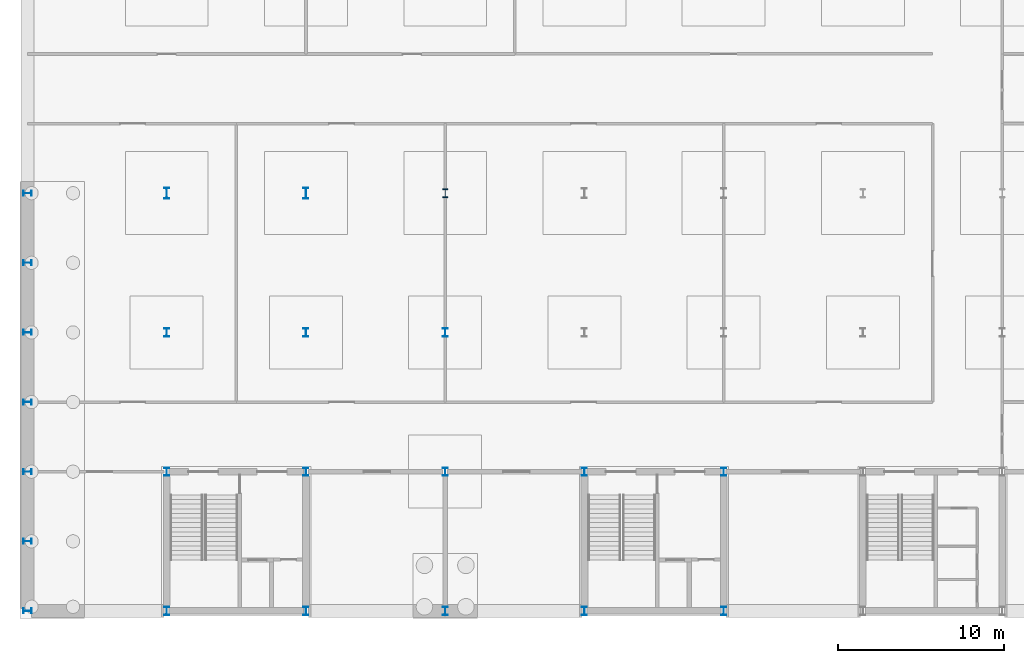
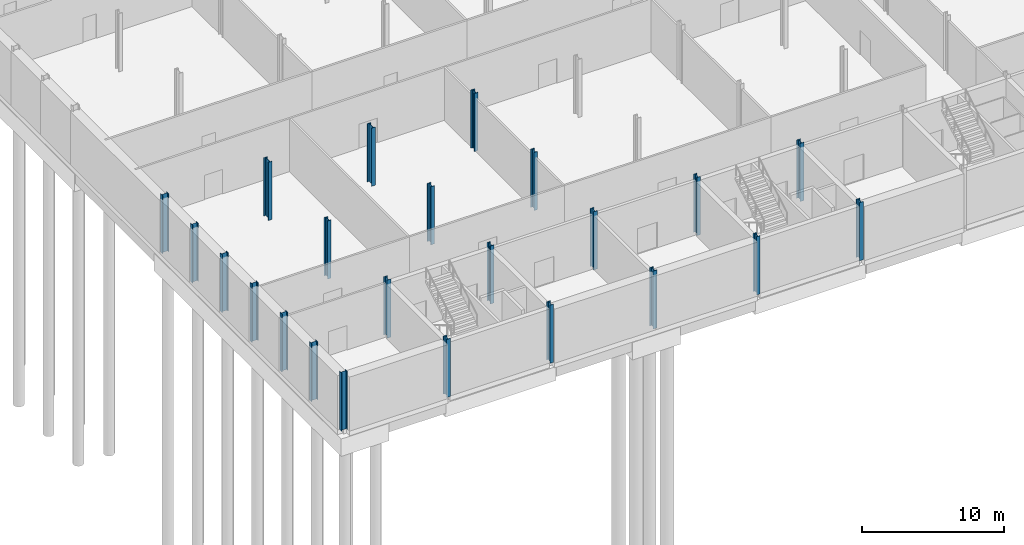
# One storey, part 3 of 22: 23 columns.
"""IFC4 building model written with IfcOpenShell, lengths in metres."""

from ifc_helpers import new_model, si_unit, direction, frame, origin, origin_2d, place, context, subcontext, project, spatial, i_section, extrude, material, material_profile, profile_set, type_object, element, save


model = new_model("IFC4")

# Units and contexts
model_context = context("Model", 3, precision=1e-05, world=origin(), true_north=direction((0.0, 1.0)))
body_context = subcontext(model_context, "Body", "Model", "MODEL_VIEW")
ifc_project = project(units=[si_unit("LENGTHUNIT", "METRE"), si_unit("AREAUNIT", "SQUARE_METRE"), si_unit("VOLUMEUNIT", "CUBIC_METRE"), si_unit("PLANEANGLEUNIT", "RADIAN"), si_unit("MASSUNIT", "GRAM", prefix="KILO")], contexts=[model_context])

# Site, building, storey
site_placement = place(None, origin())
site = spatial("IfcSite", under=ifc_project, at=site_placement, CompositionType="ELEMENT")
building_placement = place(site_placement, origin())
building = spatial("IfcBuilding", under=site, at=building_placement, Name="Galleria Vessillo Department Store", CompositionType="ELEMENT")
storey_placement = place(building_placement, frame((0.0, 0.0, -9.89990234375)))
storey = spatial("IfcBuildingStorey", under=building, at=storey_placement, Name="B2", CompositionType="ELEMENT", Elevation=-9.89990234375)

# Columns
ifc_material_1 = material(Name="Steel S355 J2", Category="steel")
ifc_material_profile_1 = material_profile(ifc_material_1, i_section(OverallWidth=0.300048828125, OverallDepth=0.5, WebThickness=0.014404296875, FlangeThickness=0.028076171875, FilletRadius=0.027099609375, at=origin_2d()), Name="HEB 500")
ifc_profile_set_1 = profile_set([ifc_material_profile_1], Name="Steel S355 J2")
column_type_1 = type_object("IfcColumnType", Name="Steel column HEB 500 CP1", PredefinedType="COLUMN", material=ifc_profile_set_1)
for number, where, z_axis, x_axis, name in (
    (1, (0.0, 0.0, 0.0), (0.0, 0.0, 1.0), (0.0, 1.0, 0.0), "S-COL-B2-1-A"),
    (2, (0.0, 4.199951171875, 0.0), (0.0, 0.0, 1.0), (0.0, 1.0, 0.0), "S-COL-B2-1-4.2"),
    (3, (0.0, 8.39990234375, 0.0), (0.0, 0.0, 1.0), (0.0, 1.0, 0.0), "S-COL-B2-1-B"),
    (4, (0.0, 12.60009765625, 0.0), (0.0, 0.0, 1.0), (0.0, 1.0, 0.0), "S-COL-B2-1-12.6"),
    (5, (0.0, 16.800048828125, 0.0), (0.0, 0.0, 1.0), (0.0, 1.0, 0.0), "S-COL-B2-1-C"),
    (6, (0.0, 21.0, 0.0), (0.0, 0.0, 1.0), (0.0, 1.0, 0.0), "S-COL-B2-1-21"),
    (7, (0.0, 25.199951171875, 0.0), (0.0, 0.0, 1.0), (0.0, 1.0, 0.0), "S-COL-B2-1-D"),
    (8, (8.39990234375, 0.0, 0.0), (0.0, 0.0, 1.0), (1.0, 0.0, 0.0), "S-COL-B2-2-A"),
    (9, (8.39990234375, 8.39990234375, 0.0), (0.0, 0.0, 1.0), (1.0, 0.0, 0.0), "S-COL-B2-2-B"),
    (10, (8.39990234375, 16.800048828125, 0.0), (0.0, 0.0, 1.0), (1.0, 0.0, 0.0), "S-COL-B2-2-C"),
    (11, (16.800048828125, 0.0, 0.0), (0.0, 0.0, 1.0), (1.0, 0.0, 0.0), "S-COL-B2-3-A"),
    (12, (16.800048828125, 8.39990234375, 0.0), (0.0, 0.0, 1.0), (1.0, 0.0, 0.0), "S-COL-B2-3-B"),
    (13, (16.800048828125, 16.800048828125, 0.0), (0.0, 0.0, 1.0), (1.0, 0.0, 0.0), "S-COL-B2-3-C"),
    (14, (25.199951171875, 0.0, 0.0), (0.0, 0.0, 1.0), (1.0, 0.0, 0.0), "S-COL-B2-4-A"),
    (15, (25.199951171875, 8.39990234375, 0.0), (0.0, 0.0, 1.0), (1.0, 0.0, 0.0), "S-COL-B2-4-B"),
    (16, (25.199951171875, 16.800048828125, 0.0), (0.0, 0.0, 1.0), (1.0, 0.0, 0.0), "S-COL-B2-4-C"),
    (17, (33.60009765625, 0.0, 0.0), (0.0, 0.0, 1.0), (1.0, 0.0, 0.0), "S-COL-B2-5-A"),
    (18, (33.60009765625, 8.39990234375, 0.0), (0.0, 0.0, 1.0), (1.0, 0.0, 0.0), "S-COL-B2-5-B"),
    (19, (42.0, 0.0, 0.0), (0.0, 0.0, 1.0), (1.0, 0.0, 0.0), "S-COL-B2-6-A"),
    (20, (42.0, 8.39990234375, 0.0), (0.0, 0.0, 1.0), (1.0, 0.0, 0.0), "S-COL-B2-6-B"),
):
    element("IfcColumn", number, at=place(storey_placement, frame(where, z_axis=z_axis, x_axis=x_axis)), inside=storey, type_object=column_type_1, Name=name, PredefinedType="COLUMN", context=body_context, shape_type="SweptSolid", body=[
        extrude(i_section(OverallWidth=0.300048828125, OverallDepth=0.5, WebThickness=0.014404296875, FlangeThickness=0.028076171875, FilletRadius=0.027099609375, at=origin_2d()), origin(), (0.0, 0.0, 1.0), 5.0),
    ])
ifc_material_2 = material(Name="Steel S355 J2", Category="steel")
ifc_material_profile_2 = material_profile(ifc_material_2, i_section(OverallWidth=0.305908203125, OverallDepth=0.52392578125, WebThickness=0.02099609375, FlangeThickness=0.0400390625, FilletRadius=0.027099609375, at=origin_2d()), Name="HEM 500")
ifc_profile_set_2 = profile_set([ifc_material_profile_2], Name="Steel S355 J2")
column_type_2 = type_object("IfcColumnType", Name="Steel column HEM 500 CV1", PredefinedType="COLUMN", material=ifc_profile_set_2)
column_placement = place(storey_placement, frame((25.199951171875, 25.199951171875, 0.0), z_axis=(0.0, 0.0, 1.0), x_axis=(1.0, 0.0, 0.0)))
element("IfcColumn", 21, at=column_placement, inside=storey, type_object=column_type_2, Name="S-COL-B2-4-D", PredefinedType="COLUMN", context=body_context, shape_type="SweptSolid", body=[
    extrude(i_section(OverallWidth=0.305908203125, OverallDepth=0.52392578125, WebThickness=0.02099609375, FlangeThickness=0.0400390625, FilletRadius=0.027099609375, at=origin_2d()), origin(), (0.0, 0.0, 1.0), 5.0),
])
ifc_material_3 = material(Name="Steel S355 J2", Category="steel")
ifc_material_profile_3 = material_profile(ifc_material_3, i_section(OverallWidth=0.304931640625, OverallDepth=0.66796875, WebThickness=0.02099609375, FlangeThickness=0.0400390625, FilletRadius=0.027099609375, at=origin_2d()), Name="HEM 650")
ifc_profile_set_3 = profile_set([ifc_material_profile_3], Name="Steel S355 J2")
column_type_3 = type_object("IfcColumnType", Name="Steel column HEM 650 CV3", PredefinedType="COLUMN", material=ifc_profile_set_3)
for number, where, z_axis, x_axis, name in (
    (22, (8.39990234375, 25.199951171875, 0.0), (0.0, 0.0, 1.0), (1.0, 0.0, 0.0), "S-COL-B2-2-D"),
    (23, (16.800048828125, 25.199951171875, 0.0), (0.0, 0.0, 1.0), (1.0, 0.0, 0.0), "S-COL-B2-3-D"),
):
    element("IfcColumn", number, at=place(storey_placement, frame(where, z_axis=z_axis, x_axis=x_axis)), inside=storey, type_object=column_type_3, Name=name, PredefinedType="COLUMN", context=body_context, shape_type="SweptSolid", body=[
        extrude(i_section(OverallWidth=0.304931640625, OverallDepth=0.66796875, WebThickness=0.02099609375, FlangeThickness=0.0400390625, FilletRadius=0.027099609375, at=origin_2d()), origin(), (0.0, 0.0, 1.0), 5.0),
    ])

save(model, "model.ifc")
